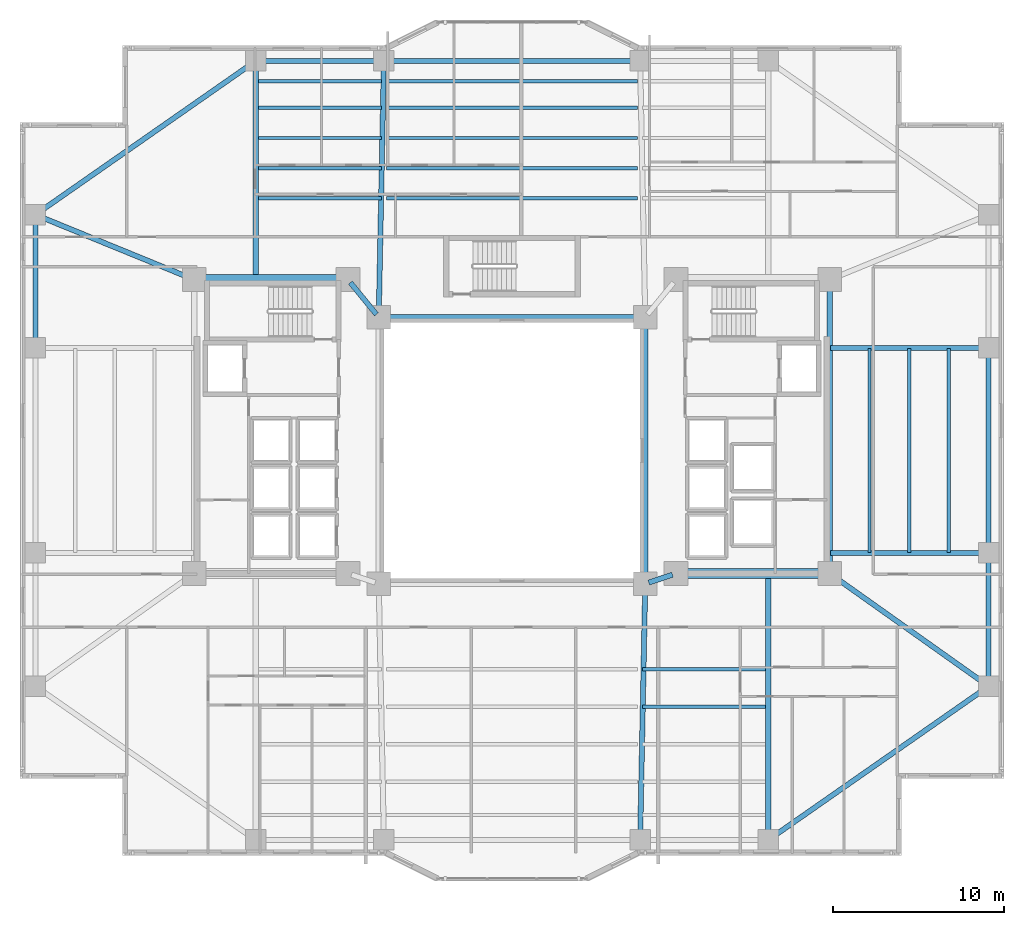
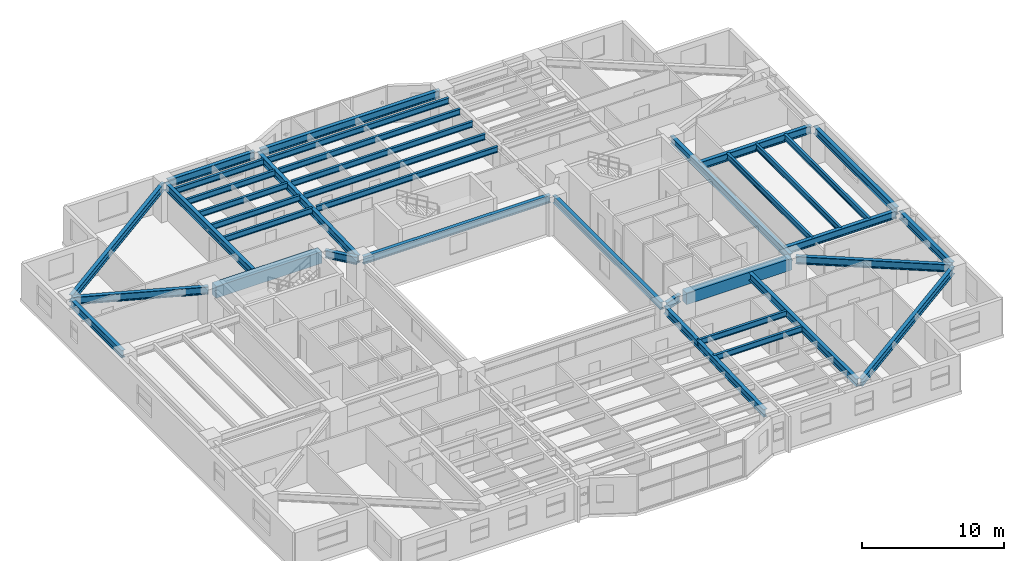
# One storey, part 5 of 20: 37 beams.
"""IFC4 building model written with IfcOpenShell, lengths in metres."""

from ifc_helpers import new_model, si_unit, direction, frame, origin, origin_2d, place, context, subcontext, project, spatial, rectangle, i_section, extrude, material, material_profile, profile_set, type_object, element, save


model = new_model("IFC4")

# Units and contexts
model_context = context("Model", 3, precision=1e-05, world=origin(), true_north=direction((0.0, 1.0)))
body_context = subcontext(model_context, "Body", "Model", "MODEL_VIEW")
ifc_project = project(units=[si_unit("LENGTHUNIT", "METRE"), si_unit("AREAUNIT", "SQUARE_METRE"), si_unit("VOLUMEUNIT", "CUBIC_METRE"), si_unit("PLANEANGLEUNIT", "RADIAN"), si_unit("MASSUNIT", "GRAM", prefix="KILO")], contexts=[model_context])

# Site, building, storey
site_placement = place(None, origin())
site = spatial("IfcSite", under=ifc_project, at=site_placement, CompositionType="ELEMENT")
building_placement = place(site_placement, origin())
building = spatial("IfcBuilding", under=site, at=building_placement, Name="Tarnavaz Court Tower", CompositionType="ELEMENT")
storey_placement = place(building_placement, frame((0.0, 0.0, 30.699951171875)))
storey = spatial("IfcBuildingStorey", under=building, at=storey_placement, Name="L07", CompositionType="ELEMENT", Elevation=30.699951171875)

# Beams
ifc_material_1 = material(Name="Concrete C60/75", Category="concrete")
ifc_material_profile_1 = material_profile(ifc_material_1, rectangle(XDim=0.60009765625, YDim=1.0, at=origin_2d()), Name="RC 600X1000")
ifc_profile_set_1 = profile_set([ifc_material_profile_1], Name="Concrete C60/75")
beam_type_1 = type_object("IfcBeamType", Name="BM-CB1000", PredefinedType="LINTEL", material=ifc_profile_set_1)
for number, where, z_axis, x_axis, name in (
    (1, (-18.3798828125, 10.0, 2.60009765625), (1.0, 0.0, 0.0), (0.0, 1.0, 0.0), "L07 Beam IN-CW-NO-CW-NI"),
    (2, (18.3798828125, -7.199951171875, 2.60009765625), (-1.0, 0.0, 0.0), (0.0, -1.0, 0.0), "L07 Beam IN-CE-SO-CE-SI"),
):
    element("IfcBeam", number, at=place(storey_placement, frame(where, z_axis=z_axis, x_axis=x_axis)), inside=storey, type_object=beam_type_1, Name=name, PredefinedType="LINTEL", context=body_context, shape_type="SweptSolid", body=[
        extrude(rectangle(XDim=0.60009765625, YDim=1.0, at=origin_2d()), origin(), (0.0, 0.0, 1.0), 8.559814453125),
    ])
ifc_material_2 = material(Name="Steel S355", Category="steel")
ifc_material_profile_2 = material_profile(ifc_material_2, i_section(OverallWidth=0.300048828125, OverallDepth=0.64990234375, WebThickness=0.01611328125, FlangeThickness=0.031005859375, FilletRadius=0.027099609375, at=origin_2d()), Name="HEB 650")
ifc_profile_set_2 = profile_set([ifc_material_profile_2], Name="Steel S355")
beam_type_2 = type_object("IfcBeamType", Name="BM-G-HEB650", PredefinedType="USERDEFINED", material=ifc_profile_set_2)
beam_1_placement = place(storey_placement, frame((9.391357421875, -7.26953125, 2.775146484375), z_axis=(-0.948666544706, -0.316278021615, 0.0), x_axis=(0.316278021615, -0.948666544706, 0.0)))
element("IfcBeam", 3, at=beam_1_placement, inside=storey, type_object=beam_type_2, Name="L07 Beam IN-CE-SI-IW-SE", ObjectType="GIRDER", PredefinedType="USERDEFINED", context=body_context, shape_type="SweptSolid", body=[
    extrude(i_section(OverallWidth=0.300048828125, OverallDepth=0.64990234375, WebThickness=0.01611328125, FlangeThickness=0.031005859375, FilletRadius=0.027099609375, at=origin_2d()), origin(), (0.0, 0.0, 1.0), 1.457275390625),
])
beam_2_placement = place(storey_placement, frame((-9.460693359375, 9.82958984375, 2.775146484375), z_axis=(0.633282058357, -0.773921077735, 0.0), x_axis=(0.773921077735, 0.633282058357, 0.0)))
element("IfcBeam", 4, at=beam_2_placement, inside=storey, type_object=beam_type_2, Name="L07 Beam IN-CW-NI-IW-NW", ObjectType="GIRDER", PredefinedType="USERDEFINED", context=body_context, shape_type="SweptSolid", body=[
    extrude(i_section(OverallWidth=0.300048828125, OverallDepth=0.64990234375, WebThickness=0.01611328125, FlangeThickness=0.031005859375, FilletRadius=0.027099609375, at=origin_2d()), origin(), (0.0, 0.0, 1.0), 2.402587890625),
])
beam_3_placement = place(storey_placement, frame((18.60009765625, -6.97998046875, 2.775146484375), z_axis=(0.0, 1.0, 0.0), x_axis=(-1.0, 0.0, 0.0)))
element("IfcBeam", 5, at=beam_3_placement, inside=storey, type_object=beam_type_2, Name="L07 Beam IN-CE-SO-CE-NO", ObjectType="GIRDER", PredefinedType="USERDEFINED", context=body_context, shape_type="SweptSolid", body=[
    extrude(i_section(OverallWidth=0.300048828125, OverallDepth=0.64990234375, WebThickness=0.01611328125, FlangeThickness=0.031005859375, FilletRadius=0.027099609375, at=origin_2d()), origin(), (0.0, 0.0, 1.0), 16.760009765625),
])
beam_4_placement = place(storey_placement, frame((-15.0, 10.0400390625, 2.775146484375), z_axis=(0.0, 1.0, 0.0), x_axis=(-1.0, 0.0, 0.0)))
element("IfcBeam", 6, at=beam_4_placement, inside=storey, type_object=beam_type_2, Name="L07 Beam RG-01", ObjectType="GIRDER", PredefinedType="USERDEFINED", context=body_context, shape_type="SweptSolid", body=[
    extrude(i_section(OverallWidth=0.300048828125, OverallDepth=0.64990234375, WebThickness=0.01611328125, FlangeThickness=0.031005859375, FilletRadius=0.027099609375, at=origin_2d()), origin(), (0.0, 0.0, 1.0), 12.5400390625),
])
for number, where, z_axis, x_axis, name in (
    (7, (-7.795654296875, 8.02001953125, 2.775146484375), (0.020000023066, 0.999799979535, 0.0), (-0.999799979535, 0.020000023066, 0.0), "L07 Beam RG-02"),
    (8, (7.795654296875, -8.02001953125, 2.775146484375), (-0.020000023066, -0.999799979535, 0.0), (0.999799979535, -0.020000023066, 0.0), "L07 Beam RG-07"),
):
    element("IfcBeam", number, at=place(storey_placement, frame(where, z_axis=z_axis, x_axis=x_axis)), inside=storey, type_object=beam_type_2, Name=name, ObjectType="GIRDER", PredefinedType="USERDEFINED", context=body_context, shape_type="SweptSolid", body=[
        extrude(i_section(OverallWidth=0.300048828125, OverallDepth=0.64990234375, WebThickness=0.01611328125, FlangeThickness=0.031005859375, FilletRadius=0.027099609375, at=origin_2d()), origin(), (0.0, 0.0, 1.0), 14.56298828125),
    ])
beam_5_placement = place(storey_placement, frame((15.0, -7.239990234375, 2.775146484375), z_axis=(0.0, -1.0, 0.0), x_axis=(1.0, 0.0, 0.0)))
element("IfcBeam", 9, at=beam_5_placement, inside=storey, type_object=beam_type_2, Name="L07 Beam RG-08", ObjectType="GIRDER", PredefinedType="USERDEFINED", context=body_context, shape_type="SweptSolid", body=[
    extrude(i_section(OverallWidth=0.300048828125, OverallDepth=0.64990234375, WebThickness=0.01611328125, FlangeThickness=0.031005859375, FilletRadius=0.027099609375, at=origin_2d()), origin(), (0.0, 0.0, 1.0), 15.340087890625),
])
for number, where, z_axis, x_axis, name in (
    (10, (18.639892578125, -6.0, 2.775146484375), (1.0, 0.0, 0.0), (0.0, 1.0, 0.0), "L07 Beam RG-09"),
    (11, (18.639892578125, 6.0, 2.775146484375), (1.0, 0.0, 0.0), (0.0, 1.0, 0.0), "L07 Beam RG-10"),
):
    element("IfcBeam", number, at=place(storey_placement, frame(where, z_axis=z_axis, x_axis=x_axis)), inside=storey, type_object=beam_type_2, Name=name, ObjectType="GIRDER", PredefinedType="USERDEFINED", context=body_context, shape_type="SweptSolid", body=[
        extrude(i_section(OverallWidth=0.300048828125, OverallDepth=0.64990234375, WebThickness=0.01611328125, FlangeThickness=0.031005859375, FilletRadius=0.027099609375, at=origin_2d()), origin(), (0.0, 0.0, 1.0), 9.0400390625),
    ])
beam_6_placement = place(storey_placement, frame((18.779296875, -7.327392578125, 2.775146484375), z_axis=(0.815520027245, -0.578728852886, 0.0), x_axis=(0.578728852886, 0.815520027245, 0.0)))
element("IfcBeam", 12, at=beam_6_placement, inside=storey, type_object=beam_type_2, Name="L07 Beam RG-11", ObjectType="GIRDER", PredefinedType="USERDEFINED", context=body_context, shape_type="SweptSolid", body=[
    extrude(i_section(OverallWidth=0.300048828125, OverallDepth=0.64990234375, WebThickness=0.01611328125, FlangeThickness=0.031005859375, FilletRadius=0.027099609375, at=origin_2d()), origin(), (0.0, 0.0, 1.0), 10.964111328125),
])
beam_7_placement = place(storey_placement, frame((-18.8037109375, 10.083251953125, 2.775146484375), z_axis=(-0.925704761705, 0.378246869329, 0.0), x_axis=(-0.378246869329, -0.925704761705, 0.0)))
element("IfcBeam", 13, at=beam_7_placement, inside=storey, type_object=beam_type_2, Name="L07 Beam RG-16", ObjectType="GIRDER", PredefinedType="USERDEFINED", context=body_context, shape_type="SweptSolid", body=[
    extrude(i_section(OverallWidth=0.300048828125, OverallDepth=0.64990234375, WebThickness=0.01611328125, FlangeThickness=0.031005859375, FilletRadius=0.027099609375, at=origin_2d()), origin(), (0.0, 0.0, 1.0), 9.606201171875),
])
ifc_material_profile_3 = material_profile(ifc_material_2, i_section(OverallWidth=0.199951171875, OverallDepth=0.5, WebThickness=0.01025390625, FlangeThickness=0.01611328125, FilletRadius=0.02099609375, at=origin_2d()), Name="IPE 500")
ifc_profile_set_3 = profile_set([ifc_material_profile_3], Name="Steel S355")
beam_type_3 = type_object("IfcBeamType", Name="BM-J-IPE500", PredefinedType="JOIST", material=ifc_profile_set_3)
beam_8_placement = place(storey_placement, frame((-14.85009765625, 14.763916015625, 2.85009765625), z_axis=(1.0, 0.0, 0.0), x_axis=(0.0, 1.0, 0.0)))
element("IfcBeam", 14, at=beam_8_placement, inside=storey, type_object=beam_type_3, Name="L07 Beam JN1-1", PredefinedType="JOIST", context=body_context, shape_type="SweptSolid", body=[
    extrude(i_section(OverallWidth=0.199951171875, OverallDepth=0.5, WebThickness=0.01025390625, FlangeThickness=0.01611328125, FilletRadius=0.02099609375, at=origin_2d()), origin(), (0.0, 0.0, 1.0), 7.2001953125),
])
beam_9_placement = place(storey_placement, frame((-7.35009765625, 14.763916015625, 2.85009765625), z_axis=(1.0, 0.0, 0.0), x_axis=(0.0, 1.0, 0.0)))
element("IfcBeam", 15, at=beam_9_placement, inside=storey, type_object=beam_type_3, Name="L07 Beam JN1-2", PredefinedType="JOIST", context=body_context, shape_type="SweptSolid", body=[
    extrude(i_section(OverallWidth=0.199951171875, OverallDepth=0.5, WebThickness=0.01025390625, FlangeThickness=0.01611328125, FilletRadius=0.02099609375, at=origin_2d()), origin(), (0.0, 0.0, 1.0), 14.7001953125),
])
for number, where, z_axis, x_axis, name in (
    (16, (7.64990234375, -12.7958984375, 2.85009765625), (1.0, 0.0, 0.0), (0.0, 1.0, 0.0), "L07 Beam JS1-3"),
    (17, (-14.85009765625, 16.528076171875, 2.85009765625), (1.0, 0.0, 0.0), (0.0, 1.0, 0.0), "L07 Beam JN2-1"),
):
    element("IfcBeam", number, at=place(storey_placement, frame(where, z_axis=z_axis, x_axis=x_axis)), inside=storey, type_object=beam_type_3, Name=name, PredefinedType="JOIST", context=body_context, shape_type="SweptSolid", body=[
        extrude(i_section(OverallWidth=0.199951171875, OverallDepth=0.5, WebThickness=0.01025390625, FlangeThickness=0.01611328125, FilletRadius=0.02099609375, at=origin_2d()), origin(), (0.0, 0.0, 1.0), 7.2001953125),
    ])
beam_10_placement = place(storey_placement, frame((-7.35009765625, 16.528076171875, 2.85009765625), z_axis=(1.0, 0.0, 0.0), x_axis=(0.0, 1.0, 0.0)))
element("IfcBeam", 18, at=beam_10_placement, inside=storey, type_object=beam_type_3, Name="L07 Beam JN2-2", PredefinedType="JOIST", context=body_context, shape_type="SweptSolid", body=[
    extrude(i_section(OverallWidth=0.199951171875, OverallDepth=0.5, WebThickness=0.01025390625, FlangeThickness=0.01611328125, FilletRadius=0.02099609375, at=origin_2d()), origin(), (0.0, 0.0, 1.0), 14.7001953125),
])
for number, where, z_axis, x_axis, name in (
    (19, (7.64990234375, -14.991943359375, 2.85009765625), (1.0, 0.0, 0.0), (0.0, 1.0, 0.0), "L07 Beam JS2-3"),
    (20, (-14.85009765625, 18.2919921875, 2.85009765625), (1.0, 0.0, 0.0), (0.0, 1.0, 0.0), "L07 Beam JN3-1"),
):
    element("IfcBeam", number, at=place(storey_placement, frame(where, z_axis=z_axis, x_axis=x_axis)), inside=storey, type_object=beam_type_3, Name=name, PredefinedType="JOIST", context=body_context, shape_type="SweptSolid", body=[
        extrude(i_section(OverallWidth=0.199951171875, OverallDepth=0.5, WebThickness=0.01025390625, FlangeThickness=0.01611328125, FilletRadius=0.02099609375, at=origin_2d()), origin(), (0.0, 0.0, 1.0), 7.2001953125),
    ])
beam_11_placement = place(storey_placement, frame((-7.35009765625, 18.2919921875, 2.85009765625), z_axis=(1.0, 0.0, 0.0), x_axis=(0.0, 1.0, 0.0)))
element("IfcBeam", 21, at=beam_11_placement, inside=storey, type_object=beam_type_3, Name="L07 Beam JN3-2", PredefinedType="JOIST", context=body_context, shape_type="SweptSolid", body=[
    extrude(i_section(OverallWidth=0.199951171875, OverallDepth=0.5, WebThickness=0.01025390625, FlangeThickness=0.01611328125, FilletRadius=0.02099609375, at=origin_2d()), origin(), (0.0, 0.0, 1.0), 14.7001953125),
])
beam_12_placement = place(storey_placement, frame((-14.85009765625, 20.055908203125, 2.85009765625), z_axis=(1.0, 0.0, 0.0), x_axis=(0.0, 1.0, 0.0)))
element("IfcBeam", 22, at=beam_12_placement, inside=storey, type_object=beam_type_3, Name="L07 Beam JN4-1", PredefinedType="JOIST", context=body_context, shape_type="SweptSolid", body=[
    extrude(i_section(OverallWidth=0.199951171875, OverallDepth=0.5, WebThickness=0.01025390625, FlangeThickness=0.01611328125, FilletRadius=0.02099609375, at=origin_2d()), origin(), (0.0, 0.0, 1.0), 7.2001953125),
])
beam_13_placement = place(storey_placement, frame((-7.35009765625, 20.055908203125, 2.85009765625), z_axis=(1.0, 0.0, 0.0), x_axis=(0.0, 1.0, 0.0)))
element("IfcBeam", 23, at=beam_13_placement, inside=storey, type_object=beam_type_3, Name="L07 Beam JN4-2", PredefinedType="JOIST", context=body_context, shape_type="SweptSolid", body=[
    extrude(i_section(OverallWidth=0.199951171875, OverallDepth=0.5, WebThickness=0.01025390625, FlangeThickness=0.01611328125, FilletRadius=0.02099609375, at=origin_2d()), origin(), (0.0, 0.0, 1.0), 14.7001953125),
])
beam_14_placement = place(storey_placement, frame((-14.85009765625, 21.6240234375, 2.85009765625), z_axis=(1.0, 0.0, 0.0), x_axis=(0.0, 1.0, 0.0)))
element("IfcBeam", 24, at=beam_14_placement, inside=storey, type_object=beam_type_3, Name="L07 Beam JN5-1", PredefinedType="JOIST", context=body_context, shape_type="SweptSolid", body=[
    extrude(i_section(OverallWidth=0.199951171875, OverallDepth=0.5, WebThickness=0.01025390625, FlangeThickness=0.01611328125, FilletRadius=0.02099609375, at=origin_2d()), origin(), (0.0, 0.0, 1.0), 7.2001953125),
])
beam_15_placement = place(storey_placement, frame((-7.35009765625, 21.6240234375, 2.85009765625), z_axis=(1.0, 0.0, 0.0), x_axis=(0.0, 1.0, 0.0)))
element("IfcBeam", 25, at=beam_15_placement, inside=storey, type_object=beam_type_3, Name="L07 Beam JN5-2", PredefinedType="JOIST", context=body_context, shape_type="SweptSolid", body=[
    extrude(i_section(OverallWidth=0.199951171875, OverallDepth=0.5, WebThickness=0.01025390625, FlangeThickness=0.01611328125, FilletRadius=0.02099609375, at=origin_2d()), origin(), (0.0, 0.0, 1.0), 14.7001953125),
])
for number, where, z_axis, x_axis, name in (
    (26, (20.925048828125, -5.9599609375, 2.85009765625), (0.0, 1.0, 0.0), (-1.0, 0.0, 0.0), "L07 Beam JE1"),
    (27, (23.25, -5.9599609375, 2.85009765625), (0.0, 1.0, 0.0), (-1.0, 0.0, 0.0), "L07 Beam JE2"),
    (28, (25.574951171875, -5.9599609375, 2.85009765625), (0.0, 1.0, 0.0), (-1.0, 0.0, 0.0), "L07 Beam JE3"),
):
    element("IfcBeam", number, at=place(storey_placement, frame(where, z_axis=z_axis, x_axis=x_axis)), inside=storey, type_object=beam_type_3, Name=name, PredefinedType="JOIST", context=body_context, shape_type="SweptSolid", body=[
        extrude(i_section(OverallWidth=0.199951171875, OverallDepth=0.5, WebThickness=0.01025390625, FlangeThickness=0.01611328125, FilletRadius=0.02099609375, at=origin_2d()), origin(), (0.0, 0.0, 1.0), 11.919921875),
    ])
ifc_material_profile_4 = material_profile(ifc_material_2, i_section(OverallWidth=0.300048828125, OverallDepth=0.639892578125, WebThickness=0.013427734375, FlangeThickness=0.02587890625, FilletRadius=0.027099609375, at=origin_2d()), Name="HEA 650")
ifc_profile_set_4 = profile_set([ifc_material_profile_4], Name="Steel S355")
beam_type_4 = type_object("IfcBeamType", Name="BM-SP-HEA650", PredefinedType="SPANDREL", material=ifc_profile_set_4)
for number, where, z_axis, x_axis, name in (
    (29, (-7.580078125, 7.800048828125, 2.780029296875), (1.0, 0.0, 0.0), (0.0, 1.0, 0.0), "L07 Beam IN-IW-NW-IW-NE"),
    (30, (7.800048828125, -7.580078125, 2.780029296875), (0.0, 1.0, 0.0), (-1.0, 0.0, 0.0), "L07 Beam IN-IW-SE-IW-NE"),
):
    element("IfcBeam", number, at=place(storey_placement, frame(where, z_axis=z_axis, x_axis=x_axis)), inside=storey, type_object=beam_type_4, Name=name, PredefinedType="SPANDREL", context=body_context, shape_type="SweptSolid", body=[
        extrude(i_section(OverallWidth=0.300048828125, OverallDepth=0.639892578125, WebThickness=0.013427734375, FlangeThickness=0.02587890625, FilletRadius=0.027099609375, at=origin_2d()), origin(), (0.0, 0.0, 1.0), 15.16015625),
    ])
beam_16_placement = place(storey_placement, frame((-14.780029296875, 22.800048828125, 2.780029296875), z_axis=(1.0, 0.0, 0.0), x_axis=(0.0, 1.0, 0.0)))
element("IfcBeam", 31, at=beam_16_placement, inside=storey, type_object=beam_type_4, Name="L07 Beam PR-PN-1-PN-2", PredefinedType="SPANDREL", context=body_context, shape_type="SweptSolid", body=[
    extrude(i_section(OverallWidth=0.300048828125, OverallDepth=0.639892578125, WebThickness=0.013427734375, FlangeThickness=0.02587890625, FilletRadius=0.027099609375, at=origin_2d()), origin(), (0.0, 0.0, 1.0), 7.06005859375),
])
beam_17_placement = place(storey_placement, frame((-7.280029296875, 22.800048828125, 2.780029296875), z_axis=(1.0, 0.0, 0.0), x_axis=(0.0, 1.0, 0.0)))
element("IfcBeam", 32, at=beam_17_placement, inside=storey, type_object=beam_type_4, Name="L07 Beam PR-PN-2-PN-3", PredefinedType="SPANDREL", context=body_context, shape_type="SweptSolid", body=[
    extrude(i_section(OverallWidth=0.300048828125, OverallDepth=0.639892578125, WebThickness=0.013427734375, FlangeThickness=0.02587890625, FilletRadius=0.027099609375, at=origin_2d()), origin(), (0.0, 0.0, 1.0), 14.56005859375),
])
beam_18_placement = place(storey_placement, frame((27.89990234375, -13.580078125, 2.780029296875), z_axis=(0.0, 1.0, 0.0), x_axis=(-1.0, 0.0, 0.0)))
element("IfcBeam", 33, at=beam_18_placement, inside=storey, type_object=beam_type_4, Name="L07 Beam PR-PE-1-PE-2", PredefinedType="SPANDREL", context=body_context, shape_type="SweptSolid", body=[
    extrude(i_section(OverallWidth=0.300048828125, OverallDepth=0.639892578125, WebThickness=0.013427734375, FlangeThickness=0.02587890625, FilletRadius=0.027099609375, at=origin_2d()), origin(), (0.0, 0.0, 1.0), 7.360107421875),
])
beam_19_placement = place(storey_placement, frame((27.89990234375, -5.780029296875, 2.780029296875), z_axis=(0.0, 1.0, 0.0), x_axis=(-1.0, 0.0, 0.0)))
element("IfcBeam", 34, at=beam_19_placement, inside=storey, type_object=beam_type_4, Name="L07 Beam PR-PE-2-PE-3", PredefinedType="SPANDREL", context=body_context, shape_type="SweptSolid", body=[
    extrude(i_section(OverallWidth=0.300048828125, OverallDepth=0.639892578125, WebThickness=0.013427734375, FlangeThickness=0.02587890625, FilletRadius=0.027099609375, at=origin_2d()), origin(), (0.0, 0.0, 1.0), 11.56005859375),
])
beam_20_placement = place(storey_placement, frame((-27.89990234375, 6.219970703125, 2.780029296875), z_axis=(0.0, 1.0, 0.0), x_axis=(-1.0, 0.0, 0.0)))
element("IfcBeam", 35, at=beam_20_placement, inside=storey, type_object=beam_type_4, Name="L07 Beam PR-PW-3-PW-4", PredefinedType="SPANDREL", context=body_context, shape_type="SweptSolid", body=[
    extrude(i_section(OverallWidth=0.300048828125, OverallDepth=0.639892578125, WebThickness=0.013427734375, FlangeThickness=0.02587890625, FilletRadius=0.027099609375, at=origin_2d()), origin(), (0.0, 0.0, 1.0), 7.360107421875),
])
for number, where, z_axis, x_axis, name in (
    (36, (27.719482421875, -13.92578125, 2.780029296875), (-0.820123643324, -0.572186341729, 0.0), (0.572186341729, -0.820123643324, 0.0), "L07 Beam PR-PE-1-PS-4"),
    (37, (-27.719482421875, 13.92578125, 2.780029296875), (0.820123643324, 0.572186341729, 0.0), (-0.572186341729, 0.820123643324, 0.0), "L07 Beam PR-PW-4-PN-1"),
):
    element("IfcBeam", number, at=place(storey_placement, frame(where, z_axis=z_axis, x_axis=x_axis)), inside=storey, type_object=beam_type_4, Name=name, PredefinedType="SPANDREL", context=body_context, shape_type="SweptSolid", body=[
        extrude(i_section(OverallWidth=0.300048828125, OverallDepth=0.639892578125, WebThickness=0.013427734375, FlangeThickness=0.02587890625, FilletRadius=0.027099609375, at=origin_2d()), origin(), (0.0, 0.0, 1.0), 15.289306640625),
    ])

save(model, "model.ifc")
